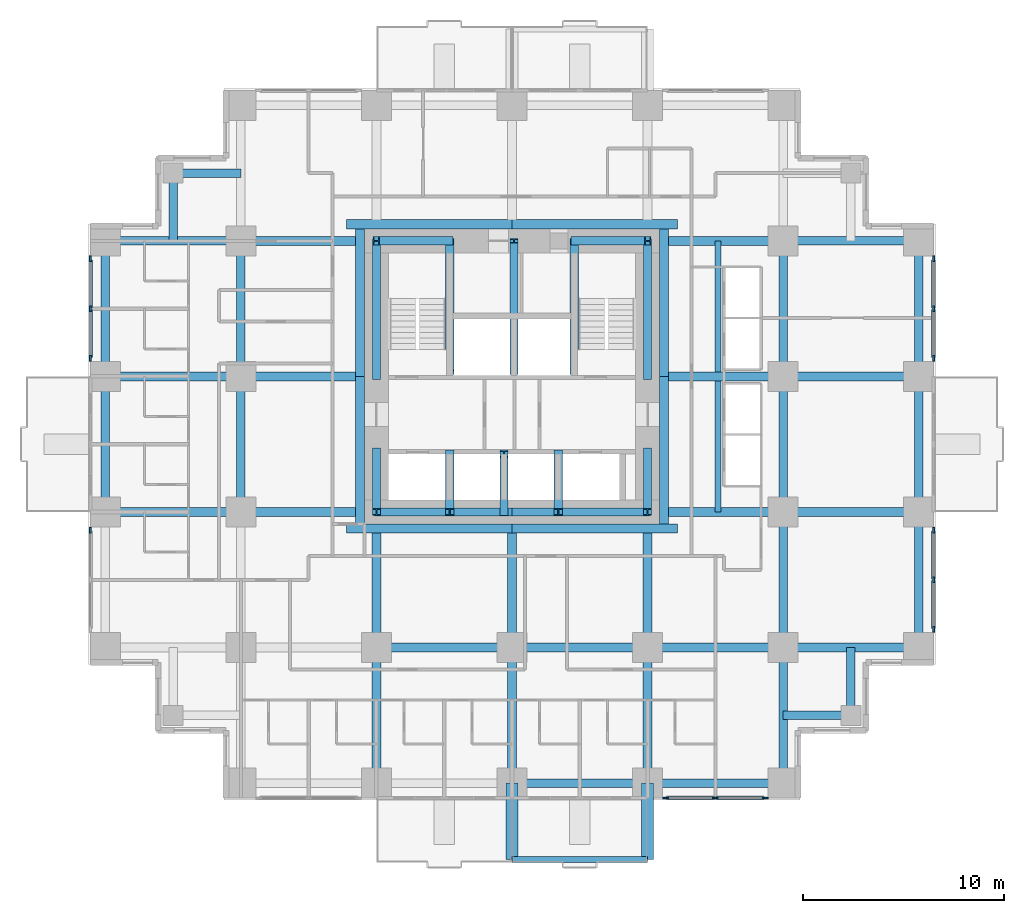
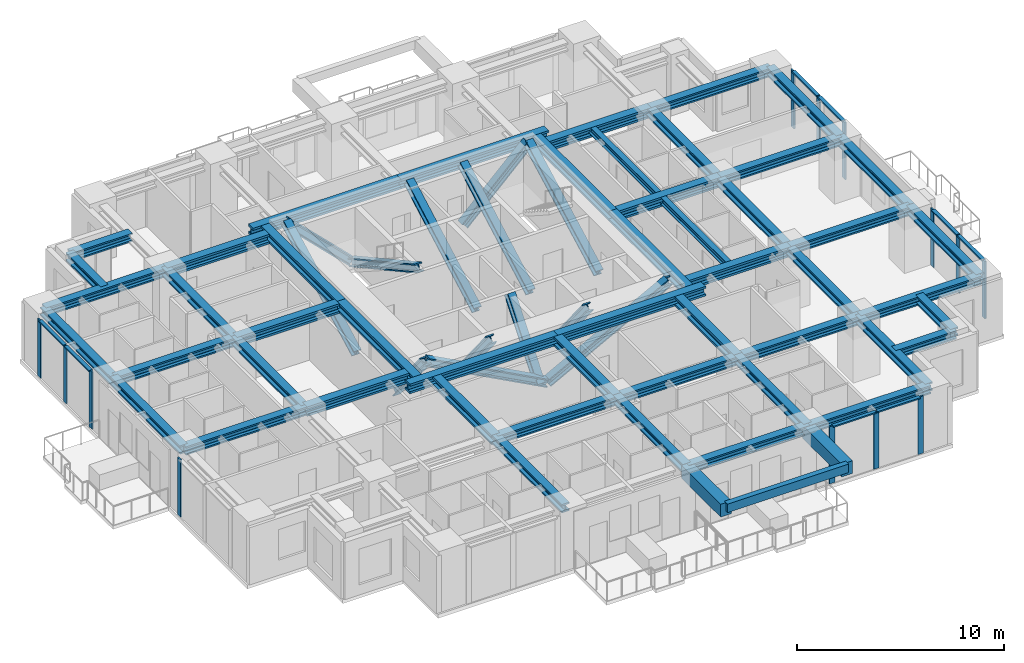
# One storey, part 2 of 11: 52 beams, 35 members, 5 elements without a shape of their own.
"""IFC4 building model written with IfcOpenShell, lengths in metres."""

from ifc_helpers import new_model, si_unit, direction, frame, origin, origin_2d, place, context, subcontext, project, spatial, rectangle, i_section, extrude, material, material_profile, profile_set, type_object, element, aggregate, save


model = new_model("IFC4")

# Units and contexts
model_context = context("Model", 3, precision=1e-05, world=origin(), true_north=direction((0.0, 1.0)))
body_context = subcontext(model_context, "Body", "Model", "MODEL_VIEW")
ifc_project = project(units=[si_unit("LENGTHUNIT", "METRE"), si_unit("AREAUNIT", "SQUARE_METRE"), si_unit("VOLUMEUNIT", "CUBIC_METRE"), si_unit("PLANEANGLEUNIT", "RADIAN"), si_unit("MASSUNIT", "GRAM", prefix="KILO")], contexts=[model_context])

# Site, building, storey
site_placement = place(None, origin())
site = spatial("IfcSite", under=ifc_project, at=site_placement, CompositionType="ELEMENT")
building_placement = place(site_placement, origin())
building = spatial("IfcBuilding", under=site, at=building_placement, Name="Nyansa Garden Tower", CompositionType="ELEMENT")
storey_placement = place(building_placement, frame((0.0, 0.0, 108.89990234375)))
storey = spatial("IfcBuildingStorey", under=building, at=storey_placement, Name="L29", CompositionType="ELEMENT", Elevation=108.89990234375)

# Beams
ifc_material_1 = material(Name="Concrete C70/85", Category="concrete")
ifc_material_profile_1 = material_profile(ifc_material_1, rectangle(XDim=0.60009765625, YDim=0.75, at=origin_2d()), Name="RC 600x750")
ifc_profile_set_1 = profile_set([ifc_material_profile_1], Name="Concrete C70/85")
beam_type_1 = type_object("IfcBeamType", Name="Balcony cantilever beam CB1 RC 600x750", PredefinedType="BEAM", material=ifc_profile_set_1)
for number, where, z_axis, x_axis, name in (
    (1, (20.25, 0.0, 2.985107421875), (0.0, -1.0, 0.0), (1.0, 0.0, 0.0), "Balcony cantilever beam L30"),
    (2, (27.0, 0.0, 2.985107421875), (0.0, -1.0, 0.0), (1.0, 0.0, 0.0), "Balcony cantilever beam L30"),
):
    element("IfcBeam", number, at=place(storey_placement, frame(where, z_axis=z_axis, x_axis=x_axis)), inside=storey, type_object=beam_type_1, Name=name, PredefinedType="BEAM", context=body_context, shape_type="SweptSolid", body=[
        extrude(rectangle(XDim=0.60009765625, YDim=0.75, at=origin_2d()), origin(), (0.0, 0.0, 1.0), 3.800048828125),
    ])
ifc_material_2 = material(Name="Concrete C70/85", Category="concrete")
ifc_material_profile_2 = material_profile(ifc_material_2, rectangle(XDim=0.300048828125, YDim=0.5, at=origin_2d()), Name="RC 300x500")
ifc_profile_set_2 = profile_set([ifc_material_profile_2], Name="Concrete C70/85")
beam_type_2 = type_object("IfcBeamType", Name="Balcony edge beam BE1 RC 300x500", PredefinedType="BEAM", material=ifc_profile_set_2)
beam_placement = place(storey_placement, frame((20.25, -3.800048828125, 3.110107421875), z_axis=(1.0, 0.0, 0.0), x_axis=(0.0, 1.0, 0.0)))
element("IfcBeam", 3, at=beam_placement, inside=storey, type_object=beam_type_2, Name="Balcony edge beam L30", PredefinedType="BEAM", context=body_context, shape_type="SweptSolid", body=[
    extrude(rectangle(XDim=0.300048828125, YDim=0.5, at=origin_2d()), origin(), (0.0, 0.0, 1.0), 6.75),
])

# Curtain wall, members
ifc_material_3 = material(Name="Black anodised aluminium, dark tinted double glazing", Category="aluminium")
curtain_wall_type = type_object("IfcCurtainWallType", Name="Sky lounge curtain wall SLW", PredefinedType="USERDEFINED", material=ifc_material_3)
curtain_wall_1_placement = place(storey_placement, origin())
curtain_wall_1 = element("IfcCurtainWall", 4, at=curtain_wall_1_placement, inside=storey, type_object=curtain_wall_type, Name="Inner skin curtain wall L29 E", ObjectType="UNITISED CURTAIN WALL", PredefinedType="USERDEFINED")
ifc_material_4 = material(Name="Black anodised aluminium", Category="aluminium")
ifc_material_profile_3 = material_profile(ifc_material_4, rectangle(XDim=0.080078125, YDim=0.300048828125, at=origin_2d()), Name="Mullion 300x80")
ifc_profile_set_3 = profile_set([ifc_material_profile_3], Name="Black anodised aluminium")
member_type_1 = type_object("IfcMemberType", Name="Mullion SLW 300x80", PredefinedType="MULLION", material=ifc_profile_set_3)
member_1_placement = place(storey_placement, frame((41.25, 7.64990234375, 0.0), z_axis=(0.0, 0.0, 1.0), x_axis=(-1.0, 0.0, 0.0)))
member_1 = element("IfcMember", 5, at=member_1_placement, type_object=member_type_1, Name="SLW mullion 1", PredefinedType="MULLION", context=body_context, shape_type="SweptSolid", body=[
    extrude(rectangle(XDim=0.080078125, YDim=0.300048828125, at=origin_2d()), origin(), (0.0, 0.0, 1.0), 3.375),
])
member_2_placement = place(storey_placement, frame((41.25, 10.125, 0.0), z_axis=(0.0, 0.0, 1.0), x_axis=(-1.0, 0.0, 0.0)))
member_2 = element("IfcMember", 6, at=member_2_placement, type_object=member_type_1, Name="SLW mullion 2", PredefinedType="MULLION", context=body_context, shape_type="SweptSolid", body=[
    extrude(rectangle(XDim=0.080078125, YDim=0.300048828125, at=origin_2d()), origin(), (0.0, 0.0, 1.0), 3.375),
])
member_3_placement = place(storey_placement, frame((41.25, 12.60009765625, 0.0), z_axis=(0.0, 0.0, 1.0), x_axis=(-1.0, 0.0, 0.0)))
member_3 = element("IfcMember", 7, at=member_3_placement, type_object=member_type_1, Name="SLW mullion 3", PredefinedType="MULLION", context=body_context, shape_type="SweptSolid", body=[
    extrude(rectangle(XDim=0.080078125, YDim=0.300048828125, at=origin_2d()), origin(), (0.0, 0.0, 1.0), 3.375),
])

curtain_wall_2_placement = place(storey_placement, origin())
curtain_wall_2 = element("IfcCurtainWall", 8, at=curtain_wall_2_placement, inside=storey, type_object=curtain_wall_type, Name="Inner skin curtain wall L29 E", ObjectType="UNITISED CURTAIN WALL", PredefinedType="USERDEFINED")
member_4_placement = place(storey_placement, frame((41.25, 21.14990234375, 0.0), z_axis=(0.0, 0.0, 1.0), x_axis=(-1.0, 0.0, 0.0)))
member_4 = element("IfcMember", 9, at=member_4_placement, type_object=member_type_1, Name="SLW mullion 1", PredefinedType="MULLION", context=body_context, shape_type="SweptSolid", body=[
    extrude(rectangle(XDim=0.080078125, YDim=0.300048828125, at=origin_2d()), origin(), (0.0, 0.0, 1.0), 3.375),
])
member_5_placement = place(storey_placement, frame((41.25, 23.625, 0.0), z_axis=(0.0, 0.0, 1.0), x_axis=(-1.0, 0.0, 0.0)))
member_5 = element("IfcMember", 10, at=member_5_placement, type_object=member_type_1, Name="SLW mullion 2", PredefinedType="MULLION", context=body_context, shape_type="SweptSolid", body=[
    extrude(rectangle(XDim=0.080078125, YDim=0.300048828125, at=origin_2d()), origin(), (0.0, 0.0, 1.0), 3.375),
])
member_6_placement = place(storey_placement, frame((41.25, 26.10009765625, 0.0), z_axis=(0.0, 0.0, 1.0), x_axis=(-1.0, 0.0, 0.0)))
member_6 = element("IfcMember", 11, at=member_6_placement, type_object=member_type_1, Name="SLW mullion 3", PredefinedType="MULLION", context=body_context, shape_type="SweptSolid", body=[
    extrude(rectangle(XDim=0.080078125, YDim=0.300048828125, at=origin_2d()), origin(), (0.0, 0.0, 1.0), 3.375),
])

# Curtain wall, member
curtain_wall_3_placement = place(storey_placement, origin())
curtain_wall_3 = element("IfcCurtainWall", 12, at=curtain_wall_3_placement, inside=storey, type_object=curtain_wall_type, Name="Inner skin curtain wall L29 W", ObjectType="UNITISED CURTAIN WALL", PredefinedType="USERDEFINED")
member_7_placement = place(storey_placement, frame((-0.75, 12.60009765625, 0.0), z_axis=(0.0, 0.0, 1.0), x_axis=(1.0, 0.0, 0.0)))
member_7 = element("IfcMember", 13, at=member_7_placement, type_object=member_type_1, Name="SLW mullion 1", PredefinedType="MULLION", context=body_context, shape_type="SweptSolid", body=[
    extrude(rectangle(XDim=0.080078125, YDim=0.300048828125, at=origin_2d()), origin(), (0.0, 0.0, 1.0), 3.375),
])
aggregate(curtain_wall_3, [member_7])

# Curtain wall, members
curtain_wall_4_placement = place(storey_placement, origin())
curtain_wall_4 = element("IfcCurtainWall", 14, at=curtain_wall_4_placement, inside=storey, type_object=curtain_wall_type, Name="Inner skin curtain wall L29 W", ObjectType="UNITISED CURTAIN WALL", PredefinedType="USERDEFINED")
member_8_placement = place(storey_placement, frame((-0.75, 26.10009765625, 0.0), z_axis=(0.0, 0.0, 1.0), x_axis=(1.0, 0.0, 0.0)))
member_8 = element("IfcMember", 15, at=member_8_placement, type_object=member_type_1, Name="SLW mullion 1", PredefinedType="MULLION", context=body_context, shape_type="SweptSolid", body=[
    extrude(rectangle(XDim=0.080078125, YDim=0.300048828125, at=origin_2d()), origin(), (0.0, 0.0, 1.0), 3.375),
])
member_9_placement = place(storey_placement, frame((-0.75, 23.625, 0.0), z_axis=(0.0, 0.0, 1.0), x_axis=(1.0, 0.0, 0.0)))
member_9 = element("IfcMember", 16, at=member_9_placement, type_object=member_type_1, Name="SLW mullion 2", PredefinedType="MULLION", context=body_context, shape_type="SweptSolid", body=[
    extrude(rectangle(XDim=0.080078125, YDim=0.300048828125, at=origin_2d()), origin(), (0.0, 0.0, 1.0), 3.375),
])
member_10_placement = place(storey_placement, frame((-0.75, 21.14990234375, 0.0), z_axis=(0.0, 0.0, 1.0), x_axis=(1.0, 0.0, 0.0)))
member_10 = element("IfcMember", 17, at=member_10_placement, type_object=member_type_1, Name="SLW mullion 3", PredefinedType="MULLION", context=body_context, shape_type="SweptSolid", body=[
    extrude(rectangle(XDim=0.080078125, YDim=0.300048828125, at=origin_2d()), origin(), (0.0, 0.0, 1.0), 3.375),
])

curtain_wall_5_placement = place(storey_placement, origin())
curtain_wall_5 = element("IfcCurtainWall", 18, at=curtain_wall_5_placement, inside=storey, type_object=curtain_wall_type, Name="Inner skin curtain wall L29 S", ObjectType="UNITISED CURTAIN WALL", PredefinedType="USERDEFINED")
member_11_placement = place(storey_placement, frame((27.89990234375, -0.75, 0.0), z_axis=(0.0, 0.0, 1.0), x_axis=(0.0, 1.0, 0.0)))
member_11 = element("IfcMember", 19, at=member_11_placement, type_object=member_type_1, Name="SLW mullion 1", PredefinedType="MULLION", context=body_context, shape_type="SweptSolid", body=[
    extrude(rectangle(XDim=0.080078125, YDim=0.300048828125, at=origin_2d()), origin(), (0.0, 0.0, 1.0), 3.375),
])
member_12_placement = place(storey_placement, frame((30.375, -0.75, 0.0), z_axis=(0.0, 0.0, 1.0), x_axis=(0.0, 1.0, 0.0)))
member_12 = element("IfcMember", 20, at=member_12_placement, type_object=member_type_1, Name="SLW mullion 2", PredefinedType="MULLION", context=body_context, shape_type="SweptSolid", body=[
    extrude(rectangle(XDim=0.080078125, YDim=0.300048828125, at=origin_2d()), origin(), (0.0, 0.0, 1.0), 3.375),
])
member_13_placement = place(storey_placement, frame((32.85009765625, -0.75, 0.0), z_axis=(0.0, 0.0, 1.0), x_axis=(0.0, 1.0, 0.0)))
member_13 = element("IfcMember", 21, at=member_13_placement, type_object=member_type_1, Name="SLW mullion 3", PredefinedType="MULLION", context=body_context, shape_type="SweptSolid", body=[
    extrude(rectangle(XDim=0.080078125, YDim=0.300048828125, at=origin_2d()), origin(), (0.0, 0.0, 1.0), 3.375),
])

# Members
ifc_material_5 = material(Name="Steel S355", Category="steel")
ifc_material_profile_4 = material_profile(ifc_material_5, i_section(OverallWidth=0.41796875, OverallDepth=0.455078125, WebThickness=0.0419921875, FlangeThickness=0.067626953125, FilletRadius=0.014892578125, at=origin_2d()), Name="HD 400x463")
ifc_profile_set_4 = profile_set([ifc_material_profile_4], Name="Steel S355")
member_type_2 = type_object("IfcMemberType", Name="Perimeter brace HD 400x463", PredefinedType="BRACE", material=ifc_profile_set_4)
for number, where, z_axis, x_axis, name in (
    (22, (20.25, 13.5, 0.0), (-0.882347640589, 0.0, 0.47059817376), (0.0, -1.0, 0.0), "Core brace CS1 L29"),
    (23, (20.25, 13.5, 0.0), (0.882347640589, 0.0, 0.47059817376), (0.0, 1.0, 0.0), "Core brace CS2 L29"),
):
    element("IfcMember", number, at=place(storey_placement, frame(where, z_axis=z_axis, x_axis=x_axis)), inside=storey, type_object=member_type_2, Name=name, PredefinedType="BRACE", context=body_context, shape_type="SweptSolid", body=[
        extrude(i_section(OverallWidth=0.41796875, OverallDepth=0.455078125, WebThickness=0.0419921875, FlangeThickness=0.067626953125, FilletRadius=0.014892578125, at=origin_2d()), origin(), (0.0, 0.0, 1.0), 7.650146484375),
    ])
for number, where, z_axis, x_axis, name in (
    (24, (17.14990234375, 27.0, 0.0), (-0.711947531702, 0.0, 0.702232662373), (0.0, -1.0, 0.0), "Core brace CN3 L29"),
    (25, (23.35009765625, 27.0, 0.0), (0.711947531702, 0.0, 0.702232662373), (0.0, 1.0, 0.0), "Core brace CN4 L29"),
):
    element("IfcMember", number, at=place(storey_placement, frame(where, z_axis=z_axis, x_axis=x_axis)), inside=storey, type_object=member_type_2, Name=name, PredefinedType="BRACE", context=body_context, shape_type="SweptSolid", body=[
        extrude(i_section(OverallWidth=0.41796875, OverallDepth=0.455078125, WebThickness=0.0419921875, FlangeThickness=0.067626953125, FilletRadius=0.014892578125, at=origin_2d()), origin(), (0.0, 0.0, 1.0), 5.126708984375),
    ])
member_14_placement = place(storey_placement, frame((13.5, 16.5, 0.0), z_axis=(0.0, -0.640174150918, 0.768229820104), x_axis=(1.0, 0.0, 0.0)))
element("IfcMember", 26, at=member_14_placement, inside=storey, type_object=member_type_2, Name="Core brace CW5 L29", PredefinedType="BRACE", context=body_context, shape_type="SweptSolid", body=[
    extrude(i_section(OverallWidth=0.41796875, OverallDepth=0.455078125, WebThickness=0.0419921875, FlangeThickness=0.067626953125, FilletRadius=0.014892578125, at=origin_2d()), origin(), (0.0, 0.0, 1.0), 4.686279296875),
])
member_15_placement = place(storey_placement, frame((13.5, 20.199951171875, 0.0), z_axis=(0.0, 0.883784057226, 0.467895009796), x_axis=(-1.0, 0.0, 0.0)))
element("IfcMember", 27, at=member_15_placement, inside=storey, type_object=member_type_2, Name="Core brace CW6 L29", PredefinedType="BRACE", context=body_context, shape_type="SweptSolid", body=[
    extrude(i_section(OverallWidth=0.41796875, OverallDepth=0.455078125, WebThickness=0.0419921875, FlangeThickness=0.067626953125, FilletRadius=0.014892578125, at=origin_2d()), origin(), (0.0, 0.0, 1.0), 7.6943359375),
])
member_16_placement = place(storey_placement, frame((27.0, 16.5, 0.0), z_axis=(0.0, -0.640174150918, 0.768229820104), x_axis=(1.0, 0.0, 0.0)))
element("IfcMember", 28, at=member_16_placement, inside=storey, type_object=member_type_2, Name="Core brace CE7 L29", PredefinedType="BRACE", context=body_context, shape_type="SweptSolid", body=[
    extrude(i_section(OverallWidth=0.41796875, OverallDepth=0.455078125, WebThickness=0.0419921875, FlangeThickness=0.067626953125, FilletRadius=0.014892578125, at=origin_2d()), origin(), (0.0, 0.0, 1.0), 4.686279296875),
])
member_17_placement = place(storey_placement, frame((27.0, 20.199951171875, 0.0), z_axis=(0.0, 0.883784057226, 0.467895009796), x_axis=(-1.0, 0.0, 0.0)))
element("IfcMember", 29, at=member_17_placement, inside=storey, type_object=member_type_2, Name="Core brace CE8 L29", PredefinedType="BRACE", context=body_context, shape_type="SweptSolid", body=[
    extrude(i_section(OverallWidth=0.41796875, OverallDepth=0.455078125, WebThickness=0.0419921875, FlangeThickness=0.067626953125, FilletRadius=0.014892578125, at=origin_2d()), origin(), (0.0, 0.0, 1.0), 7.6943359375),
])
for number, where, z_axis, x_axis, name in (
    (30, (17.14990234375, 27.0, 0.0), (0.0, -0.876353113771, 0.481669201822), (1.0, 0.0, 0.0), "Core brace CWS9 L29"),
    (31, (23.35009765625, 20.449951171875, 0.0), (0.0, 0.876353113771, 0.481669201822), (-1.0, 0.0, 0.0), "Core brace CES10 L29"),
):
    element("IfcMember", number, at=place(storey_placement, frame(where, z_axis=z_axis, x_axis=x_axis)), inside=storey, type_object=member_type_2, Name=name, PredefinedType="BRACE", context=body_context, shape_type="SweptSolid", body=[
        extrude(i_section(OverallWidth=0.41796875, OverallDepth=0.455078125, WebThickness=0.0419921875, FlangeThickness=0.067626953125, FilletRadius=0.014892578125, at=origin_2d()), origin(), (0.0, 0.0, 1.0), 7.47412109375),
    ])
for number, where, z_axis, x_axis, name in (
    (32, (17.14990234375, 16.39990234375, 0.0), (0.0, -0.627306405886, 0.778772542617), (1.0, 0.0, 0.0), "Core brace CSW11 L29"),
    (33, (19.85009765625, 13.5, 0.0), (0.0, 0.627306405886, 0.778772542617), (-1.0, 0.0, 0.0), "Core brace CSW12 L29"),
    (34, (22.550048828125, 16.39990234375, 0.0), (0.0, -0.627306405886, 0.778772542617), (1.0, 0.0, 0.0), "Core brace CSW13 L29"),
):
    element("IfcMember", number, at=place(storey_placement, frame(where, z_axis=z_axis, x_axis=x_axis)), inside=storey, type_object=member_type_2, Name=name, PredefinedType="BRACE", context=body_context, shape_type="SweptSolid", body=[
        extrude(i_section(OverallWidth=0.41796875, OverallDepth=0.455078125, WebThickness=0.0419921875, FlangeThickness=0.067626953125, FilletRadius=0.014892578125, at=origin_2d()), origin(), (0.0, 0.0, 1.0), 4.622802734375),
    ])
member_18_placement = place(storey_placement, frame((20.35009765625, 20.449951171875, 0.0), z_axis=(0.0, 0.876353113771, 0.481669201822), x_axis=(-1.0, 0.0, 0.0)))
element("IfcMember", 35, at=member_18_placement, inside=storey, type_object=member_type_2, Name="Core brace CNW14 L29", PredefinedType="BRACE", context=body_context, shape_type="SweptSolid", body=[
    extrude(i_section(OverallWidth=0.41796875, OverallDepth=0.455078125, WebThickness=0.0419921875, FlangeThickness=0.067626953125, FilletRadius=0.014892578125, at=origin_2d()), origin(), (0.0, 0.0, 1.0), 7.47412109375),
])

# Beams
ifc_material_6 = material(Name="Steel S355", Category="steel")
ifc_material_profile_5 = material_profile(ifc_material_6, i_section(OverallWidth=0.431884765625, OverallDepth=0.498046875, WebThickness=0.0556640625, FlangeThickness=0.0888671875, FilletRadius=0.014892578125, at=origin_2d()), Name="HD 400x744")
ifc_profile_set_5 = profile_set([ifc_material_profile_5], Name="Steel S355")
beam_type_3 = type_object("IfcBeamType", Name="Steel beam SBB1-744 HD 400x744", PredefinedType="BEAM", material=ifc_profile_set_5)
for number, where, z_axis, x_axis, name in (
    (36, (0.0, 13.5, 3.1259765625), (1.0, 0.0, 0.0), (0.0, 1.0, 0.0), "Steel beam 2/F-3/F L30"),
    (37, (0.0, 20.25, 3.1259765625), (1.0, 0.0, 0.0), (0.0, 1.0, 0.0), "Steel beam 2/G-3/G L30"),
    (38, (0.0, 27.0, 3.1259765625), (1.0, 0.0, 0.0), (0.0, 1.0, 0.0), "Steel beam 2/H-3/H L30"),
    (39, (6.75, 13.5, 3.1259765625), (0.0, 1.0, 0.0), (-1.0, 0.0, 0.0), "Steel beam 3/F-3/G L30"),
    (40, (6.75, 20.25, 3.1259765625), (0.0, 1.0, 0.0), (-1.0, 0.0, 0.0), "Steel beam 3/G-3/H L30"),
    (41, (13.5, 0.0, 3.1259765625), (0.0, 1.0, 0.0), (-1.0, 0.0, 0.0), "Steel beam 4/D-4/E L30"),
    (42, (13.5, 6.75, 3.1259765625), (1.0, 0.0, 0.0), (0.0, 1.0, 0.0), "Steel beam 4/E-5/E L30"),
    (43, (20.25, 0.0, 3.1259765625), (0.0, 1.0, 0.0), (-1.0, 0.0, 0.0), "Steel beam 5/D-5/E L30"),
    (44, (20.25, 6.75, 3.1259765625), (1.0, 0.0, 0.0), (0.0, 1.0, 0.0), "Steel beam 5/E-6/E L30"),
    (45, (27.0, 0.0, 3.1259765625), (0.0, 1.0, 0.0), (-1.0, 0.0, 0.0), "Steel beam 6/D-6/E L30"),
    (46, (27.0, 6.75, 3.1259765625), (1.0, 0.0, 0.0), (0.0, 1.0, 0.0), "Steel beam 6/E-7/E L30"),
    (47, (33.75, 0.0, 3.1259765625), (0.0, 1.0, 0.0), (-1.0, 0.0, 0.0), "Steel beam 7/D-7/E L30"),
    (48, (33.75, 6.75, 3.1259765625), (0.0, 1.0, 0.0), (-1.0, 0.0, 0.0), "Steel beam 7/E-7/F L30"),
    (49, (33.75, 6.75, 3.1259765625), (1.0, 0.0, 0.0), (0.0, 1.0, 0.0), "Steel beam 7/E-8/E L30"),
    (50, (33.75, 13.5, 3.1259765625), (0.0, 1.0, 0.0), (-1.0, 0.0, 0.0), "Steel beam 7/F-7/G L30"),
    (51, (33.75, 13.5, 3.1259765625), (1.0, 0.0, 0.0), (0.0, 1.0, 0.0), "Steel beam 7/F-8/F L30"),
    (52, (33.75, 20.25, 3.1259765625), (0.0, 1.0, 0.0), (-1.0, 0.0, 0.0), "Steel beam 7/G-7/H L30"),
    (53, (33.75, 20.25, 3.1259765625), (1.0, 0.0, 0.0), (0.0, 1.0, 0.0), "Steel beam 7/G-8/G L30"),
    (54, (33.75, 27.0, 3.1259765625), (1.0, 0.0, 0.0), (0.0, 1.0, 0.0), "Steel beam 7/H-8/H L30"),
):
    element("IfcBeam", number, at=place(storey_placement, frame(where, z_axis=z_axis, x_axis=x_axis)), inside=storey, type_object=beam_type_3, Name=name, PredefinedType="BEAM", context=body_context, shape_type="SweptSolid", body=[
        extrude(i_section(OverallWidth=0.431884765625, OverallDepth=0.498046875, WebThickness=0.0556640625, FlangeThickness=0.0888671875, FilletRadius=0.014892578125, at=origin_2d()), origin(), (0.0, 0.0, 1.0), 6.75),
    ])
ifc_material_7 = material(Name="Steel S355", Category="steel")
ifc_material_profile_6 = material_profile(ifc_material_7, i_section(OverallWidth=0.4541015625, OverallDepth=0.569091796875, WebThickness=0.077880859375, FlangeThickness=0.125, FilletRadius=0.014892578125, at=origin_2d()), Name="HD 400x1086")
ifc_profile_set_6 = profile_set([ifc_material_profile_6], Name="Steel S355")
beam_type_4 = type_object("IfcBeamType", Name="Steel beam SCL-1086 HD 400x1086", PredefinedType="BEAM", material=ifc_profile_set_6)
for number, where, z_axis, x_axis, name in (
    (55, (6.75, 13.5, 3.090576171875), (1.0, 0.0, 0.0), (0.0, 1.0, 0.0), "Steel beam 3/F-12.450/F L30"),
    (56, (6.75, 20.25, 3.090576171875), (1.0, 0.0, 0.0), (0.0, 1.0, 0.0), "Steel beam 3/G-12.450/G L30"),
    (57, (6.75, 27.0, 3.090576171875), (1.0, 0.0, 0.0), (0.0, 1.0, 0.0), "Steel beam 3/H-12.450/H L30"),
    (58, (13.5, 6.75, 3.090576171875), (0.0, 1.0, 0.0), (-1.0, 0.0, 0.0), "Steel beam 4/E-4/12.450 L30"),
    (59, (20.25, 6.75, 3.090576171875), (0.0, 1.0, 0.0), (-1.0, 0.0, 0.0), "Steel beam 5/E-5/12.450 L30"),
    (60, (27.0, 6.75, 3.090576171875), (0.0, 1.0, 0.0), (-1.0, 0.0, 0.0), "Steel beam 6/E-6/12.450 L30"),
    (61, (28.050048828125, 13.5, 3.090576171875), (1.0, 0.0, 0.0), (0.0, 1.0, 0.0), "Steel beam 28.050/F-7/F L30"),
    (62, (28.050048828125, 20.25, 3.090576171875), (1.0, 0.0, 0.0), (0.0, 1.0, 0.0), "Steel beam 28.050/G-7/G L30"),
    (63, (28.050048828125, 27.0, 3.090576171875), (1.0, 0.0, 0.0), (0.0, 1.0, 0.0), "Steel beam 28.050/H-7/H L30"),
):
    element("IfcBeam", number, at=place(storey_placement, frame(where, z_axis=z_axis, x_axis=x_axis)), inside=storey, type_object=beam_type_4, Name=name, PredefinedType="BEAM", context=body_context, shape_type="SweptSolid", body=[
        extrude(i_section(OverallWidth=0.4541015625, OverallDepth=0.569091796875, WebThickness=0.077880859375, FlangeThickness=0.125, FilletRadius=0.014892578125, at=origin_2d()), origin(), (0.0, 0.0, 1.0), 5.699951171875),
    ])
for number, where, z_axis, x_axis, name in (
    (64, (12.0, 12.673095703125, 3.090576171875), (1.0, 0.0, 0.0), (0.0, 1.0, 0.0), "Steel core ledger beam S.1 L30"),
    (65, (20.25, 12.673095703125, 3.090576171875), (1.0, 0.0, 0.0), (0.0, 1.0, 0.0), "Steel core ledger beam S.2 L30"),
):
    element("IfcBeam", number, at=place(storey_placement, frame(where, z_axis=z_axis, x_axis=x_axis)), inside=storey, type_object=beam_type_4, Name=name, PredefinedType="BEAM", context=body_context, shape_type="SweptSolid", body=[
        extrude(i_section(OverallWidth=0.4541015625, OverallDepth=0.569091796875, WebThickness=0.077880859375, FlangeThickness=0.125, FilletRadius=0.014892578125, at=origin_2d()), origin(), (0.0, 0.0, 1.0), 8.25),
    ])
for number, where, z_axis, x_axis, name in (
    (66, (27.826904296875, 12.89990234375, 3.090576171875), (0.0, 1.0, 0.0), (-1.0, 0.0, 0.0), "Steel core ledger beam E.1 L30"),
    (67, (27.826904296875, 20.25, 3.090576171875), (0.0, 1.0, 0.0), (-1.0, 0.0, 0.0), "Steel core ledger beam E.2 L30"),
):
    element("IfcBeam", number, at=place(storey_placement, frame(where, z_axis=z_axis, x_axis=x_axis)), inside=storey, type_object=beam_type_4, Name=name, PredefinedType="BEAM", context=body_context, shape_type="SweptSolid", body=[
        extrude(i_section(OverallWidth=0.4541015625, OverallDepth=0.569091796875, WebThickness=0.077880859375, FlangeThickness=0.125, FilletRadius=0.014892578125, at=origin_2d()), origin(), (0.0, 0.0, 1.0), 7.35009765625),
    ])
for number, where, z_axis, x_axis, name in (
    (68, (28.5, 27.826904296875, 3.090576171875), (-1.0, 0.0, 0.0), (0.0, -1.0, 0.0), "Steel core ledger beam N.1 L30"),
    (69, (20.25, 27.826904296875, 3.090576171875), (-1.0, 0.0, 0.0), (0.0, -1.0, 0.0), "Steel core ledger beam N.2 L30"),
):
    element("IfcBeam", number, at=place(storey_placement, frame(where, z_axis=z_axis, x_axis=x_axis)), inside=storey, type_object=beam_type_4, Name=name, PredefinedType="BEAM", context=body_context, shape_type="SweptSolid", body=[
        extrude(i_section(OverallWidth=0.4541015625, OverallDepth=0.569091796875, WebThickness=0.077880859375, FlangeThickness=0.125, FilletRadius=0.014892578125, at=origin_2d()), origin(), (0.0, 0.0, 1.0), 8.25),
    ])
for number, where, z_axis, x_axis, name in (
    (70, (12.673095703125, 27.60009765625, 3.090576171875), (0.0, -1.0, 0.0), (1.0, 0.0, 0.0), "Steel core ledger beam W.1 L30"),
    (71, (12.673095703125, 20.25, 3.090576171875), (0.0, -1.0, 0.0), (1.0, 0.0, 0.0), "Steel core ledger beam W.2 L30"),
):
    element("IfcBeam", number, at=place(storey_placement, frame(where, z_axis=z_axis, x_axis=x_axis)), inside=storey, type_object=beam_type_4, Name=name, PredefinedType="BEAM", context=body_context, shape_type="SweptSolid", body=[
        extrude(i_section(OverallWidth=0.4541015625, OverallDepth=0.569091796875, WebThickness=0.077880859375, FlangeThickness=0.125, FilletRadius=0.014892578125, at=origin_2d()), origin(), (0.0, 0.0, 1.0), 7.35009765625),
    ])
ifc_material_8 = material(Name="Steel S355", Category="steel")
ifc_material_profile_7 = material_profile(ifc_material_8, i_section(OverallWidth=0.431884765625, OverallDepth=0.498046875, WebThickness=0.0556640625, FlangeThickness=0.0888671875, FilletRadius=0.014892578125, at=origin_2d()), Name="HD 400x744")
ifc_profile_set_7 = profile_set([ifc_material_profile_7], Name="Steel S355")
beam_type_5 = type_object("IfcBeamType", Name="Steel beam SEBB-744 HD 400x744", PredefinedType="BEAM", material=ifc_profile_set_7)
for number, where, z_axis, x_axis, name in (
    (72, (0.0, 13.5, 3.1259765625), (0.0, 1.0, 0.0), (-1.0, 0.0, 0.0), "Steel edge beam 2/F-2/G L30"),
    (73, (0.0, 20.25, 3.1259765625), (0.0, 1.0, 0.0), (-1.0, 0.0, 0.0), "Steel edge beam 2/G-2/H L30"),
    (74, (20.25, 0.0, 3.1259765625), (1.0, 0.0, 0.0), (0.0, 1.0, 0.0), "Steel edge beam 5/D-6/D L30"),
    (75, (27.0, 0.0, 3.1259765625), (1.0, 0.0, 0.0), (0.0, 1.0, 0.0), "Steel edge beam 6/D-7/D L30"),
    (76, (40.5, 6.75, 3.1259765625), (0.0, 1.0, 0.0), (-1.0, 0.0, 0.0), "Steel edge beam 8/E-8/F L30"),
    (77, (40.5, 13.5, 3.1259765625), (0.0, 1.0, 0.0), (-1.0, 0.0, 0.0), "Steel edge beam 8/F-8/G L30"),
    (78, (40.5, 20.25, 3.1259765625), (0.0, 1.0, 0.0), (-1.0, 0.0, 0.0), "Steel edge beam 8/G-8/H L30"),
):
    element("IfcBeam", number, at=place(storey_placement, frame(where, z_axis=z_axis, x_axis=x_axis)), inside=storey, type_object=beam_type_5, Name=name, PredefinedType="BEAM", context=body_context, shape_type="SweptSolid", body=[
        extrude(i_section(OverallWidth=0.431884765625, OverallDepth=0.498046875, WebThickness=0.0556640625, FlangeThickness=0.0888671875, FilletRadius=0.014892578125, at=origin_2d()), origin(), (0.0, 0.0, 1.0), 6.75),
    ])
ifc_material_9 = material(Name="Steel S355", Category="steel")
ifc_material_profile_8 = material_profile(ifc_material_9, i_section(OverallWidth=0.431884765625, OverallDepth=0.498046875, WebThickness=0.0556640625, FlangeThickness=0.0888671875, FilletRadius=0.014892578125, at=origin_2d()), Name="HD 400x744")
ifc_profile_set_8 = profile_set([ifc_material_profile_8], Name="Steel S355")
beam_type_6 = type_object("IfcBeamType", Name="Steel beam SSB1-744 HD 400x744", PredefinedType="BEAM", material=ifc_profile_set_8)
for number, where, z_axis, x_axis, name in (
    (79, (37.125, 3.375, 3.1259765625), (0.0, 1.0, 0.0), (-1.0, 0.0, 0.0), "Steel step beam 37.125/3.375 L30"),
    (80, (37.125, 3.375, 3.1259765625), (-1.0, 0.0, 0.0), (0.0, -1.0, 0.0), "Steel step beam 37.125/3.375 L30"),
    (81, (3.375, 30.375, 3.1259765625), (0.0, -1.0, 0.0), (1.0, 0.0, 0.0), "Steel step beam 3.375/30.375 L30"),
    (82, (3.375, 30.375, 3.1259765625), (1.0, 0.0, 0.0), (0.0, 1.0, 0.0), "Steel step beam 3.375/30.375 L30"),
):
    element("IfcBeam", number, at=place(storey_placement, frame(where, z_axis=z_axis, x_axis=x_axis)), inside=storey, type_object=beam_type_6, Name=name, PredefinedType="BEAM", context=body_context, shape_type="SweptSolid", body=[
        extrude(i_section(OverallWidth=0.431884765625, OverallDepth=0.498046875, WebThickness=0.0556640625, FlangeThickness=0.0888671875, FilletRadius=0.014892578125, at=origin_2d()), origin(), (0.0, 0.0, 1.0), 3.375),
    ])

# Member
ifc_material_10 = material(Name="Black anodised aluminium", Category="aluminium")
ifc_material_profile_9 = material_profile(ifc_material_10, rectangle(XDim=0.199951171875, YDim=0.080078125, at=origin_2d()), Name="Transom 200x80")
ifc_profile_set_9 = profile_set([ifc_material_profile_9], Name="Black anodised aluminium")
member_type_3 = type_object("IfcMemberType", Name="Transom SLW 200x80", PredefinedType="USERDEFINED", material=ifc_profile_set_9)
member_19_placement = place(storey_placement, frame((41.25, 7.68994140625, 3.335205078125), z_axis=(0.0, 1.0, 0.0), x_axis=(-1.0, 0.0, 0.0)))
member_19 = element("IfcMember", 83, at=member_19_placement, type_object=member_type_3, Name="SLW transom 1", ObjectType="TRANSOM", PredefinedType="USERDEFINED", context=body_context, shape_type="SweptSolid", body=[
    extrude(rectangle(XDim=0.199951171875, YDim=0.080078125, at=origin_2d()), origin(), (0.0, 0.0, 1.0), 2.39501953125),
])

member_20_placement = place(storey_placement, frame((41.25, 10.1650390625, 3.335205078125), z_axis=(0.0, 1.0, 0.0), x_axis=(-1.0, 0.0, 0.0)))
member_20 = element("IfcMember", 84, at=member_20_placement, type_object=member_type_3, Name="SLW transom 2", ObjectType="TRANSOM", PredefinedType="USERDEFINED", context=body_context, shape_type="SweptSolid", body=[
    extrude(rectangle(XDim=0.199951171875, YDim=0.080078125, at=origin_2d()), origin(), (0.0, 0.0, 1.0), 2.39501953125),
])

aggregate(curtain_wall_1, [member_1, member_2, member_3, member_19, member_20])

member_21_placement = place(storey_placement, frame((41.25, 21.18994140625, 3.335205078125), z_axis=(0.0, 1.0, 0.0), x_axis=(-1.0, 0.0, 0.0)))
member_21 = element("IfcMember", 85, at=member_21_placement, type_object=member_type_3, Name="SLW transom 1", ObjectType="TRANSOM", PredefinedType="USERDEFINED", context=body_context, shape_type="SweptSolid", body=[
    extrude(rectangle(XDim=0.199951171875, YDim=0.080078125, at=origin_2d()), origin(), (0.0, 0.0, 1.0), 2.39501953125),
])

member_22_placement = place(storey_placement, frame((41.25, 23.6650390625, 3.335205078125), z_axis=(0.0, 1.0, 0.0), x_axis=(-1.0, 0.0, 0.0)))
member_22 = element("IfcMember", 86, at=member_22_placement, type_object=member_type_3, Name="SLW transom 2", ObjectType="TRANSOM", PredefinedType="USERDEFINED", context=body_context, shape_type="SweptSolid", body=[
    extrude(rectangle(XDim=0.199951171875, YDim=0.080078125, at=origin_2d()), origin(), (0.0, 0.0, 1.0), 2.39501953125),
])

aggregate(curtain_wall_2, [member_4, member_5, member_6, member_21, member_22])

member_23_placement = place(storey_placement, frame((-0.75, 26.06005859375, 3.335205078125), z_axis=(0.0, -1.0, 0.0), x_axis=(1.0, 0.0, 0.0)))
member_23 = element("IfcMember", 87, at=member_23_placement, type_object=member_type_3, Name="SLW transom 1", ObjectType="TRANSOM", PredefinedType="USERDEFINED", context=body_context, shape_type="SweptSolid", body=[
    extrude(rectangle(XDim=0.199951171875, YDim=0.080078125, at=origin_2d()), origin(), (0.0, 0.0, 1.0), 2.39501953125),
])

member_24_placement = place(storey_placement, frame((-0.75, 23.5849609375, 3.335205078125), z_axis=(0.0, -1.0, 0.0), x_axis=(1.0, 0.0, 0.0)))
member_24 = element("IfcMember", 88, at=member_24_placement, type_object=member_type_3, Name="SLW transom 2", ObjectType="TRANSOM", PredefinedType="USERDEFINED", context=body_context, shape_type="SweptSolid", body=[
    extrude(rectangle(XDim=0.199951171875, YDim=0.080078125, at=origin_2d()), origin(), (0.0, 0.0, 1.0), 2.39501953125),
])

aggregate(curtain_wall_4, [member_8, member_9, member_10, member_23, member_24])

member_25_placement = place(storey_placement, frame((27.93994140625, -0.75, 3.335205078125), z_axis=(1.0, 0.0, 0.0), x_axis=(0.0, 1.0, 0.0)))
member_25 = element("IfcMember", 89, at=member_25_placement, type_object=member_type_3, Name="SLW transom 1", ObjectType="TRANSOM", PredefinedType="USERDEFINED", context=body_context, shape_type="SweptSolid", body=[
    extrude(rectangle(XDim=0.199951171875, YDim=0.080078125, at=origin_2d()), origin(), (0.0, 0.0, 1.0), 2.39501953125),
])

member_26_placement = place(storey_placement, frame((30.4150390625, -0.75, 3.335205078125), z_axis=(1.0, 0.0, 0.0), x_axis=(0.0, 1.0, 0.0)))
member_26 = element("IfcMember", 90, at=member_26_placement, type_object=member_type_3, Name="SLW transom 2", ObjectType="TRANSOM", PredefinedType="USERDEFINED", context=body_context, shape_type="SweptSolid", body=[
    extrude(rectangle(XDim=0.199951171875, YDim=0.080078125, at=origin_2d()), origin(), (0.0, 0.0, 1.0), 2.39501953125),
])

aggregate(curtain_wall_5, [member_11, member_12, member_13, member_25, member_26])

# Beams
ifc_material_11 = material(Name="Steel S355", Category="steel")
ifc_material_profile_10 = material_profile(ifc_material_11, i_section(OverallWidth=0.300048828125, OverallDepth=0.39990234375, WebThickness=0.013427734375, FlangeThickness=0.02392578125, FilletRadius=0.027099609375, at=origin_2d()), Name="HE 400 B")
ifc_profile_set_10 = profile_set([ifc_material_profile_10], Name="Steel S355")
beam_type_7 = type_object("IfcBeamType", Name="Trimmer beam TR1 HE 400 B", PredefinedType="BEAM", material=ifc_profile_set_10)
for number, where, z_axis, x_axis, name in (
    (91, (30.5, 13.5, 3.175048828125), (0.0, 1.0, 0.0), (-1.0, 0.0, 0.0), "Trimmer beam 1 L30"),
    (92, (30.5, 20.47705078125, 3.175048828125), (0.0, 1.0, 0.0), (-1.0, 0.0, 0.0), "Trimmer beam 2 L30"),
):
    element("IfcBeam", number, at=place(storey_placement, frame(where, z_axis=z_axis, x_axis=x_axis)), inside=storey, type_object=beam_type_7, Name=name, PredefinedType="BEAM", context=body_context, shape_type="SweptSolid", body=[
        extrude(i_section(OverallWidth=0.300048828125, OverallDepth=0.39990234375, WebThickness=0.013427734375, FlangeThickness=0.02392578125, FilletRadius=0.027099609375, at=origin_2d()), origin(), (0.0, 0.0, 1.0), 6.52294921875),
    ])

save(model, "model.ifc")
